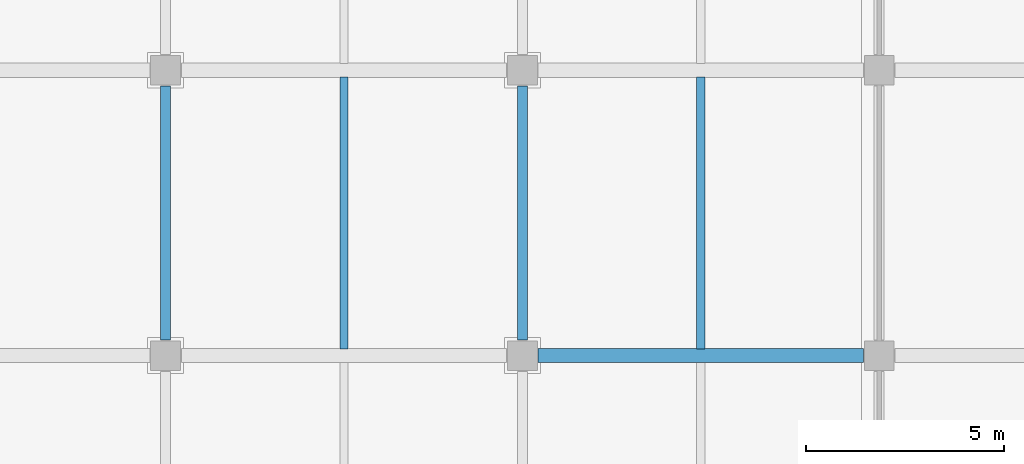
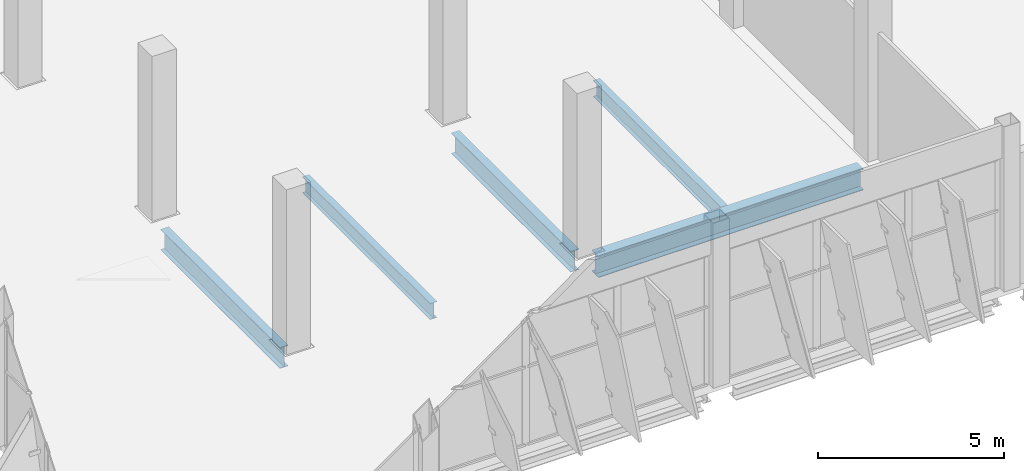
# One storey, part 66 of 137: 5 beams.
"""IFC4 building model written with IfcOpenShell, lengths in metres."""

import ifcopenshell
import ifcopenshell.guid

model = None  # the IFC model being written
_history = None  # IfcOwnerHistory: only IFC2X3 demands one
_inside = {}  # id of a spatial element -> (the spatial element, [elements in it])
_under = {}  # id of a project, library or spatial element -> (it, [spatial elements below it])
_declared = {}  # id of a project -> (the project, [libraries it declares])
_typed = {}  # id of a type object -> (the type object, [elements of that type])
_made_of = {}  # id of a material, layer set ... -> (it, [elements and type objects made of it])


def new_model(schema):
    """Start an empty IFC model of exactly this schema.

    Asked for "IFC4X3", IfcOpenShell would pick the latest addendum, in which some entities
    have other attributes; the version numbers below select the first issue.
    IFC2X3 requires an IfcOwnerHistory on every rooted entity: one is made here for all.
    """
    global model, _history
    if schema == "IFC4X3":
        model = ifcopenshell.file(schema_version=(4, 3, 0, 0))
    else:
        model = ifcopenshell.file(schema=schema)
    _inside.clear()
    _under.clear()
    _declared.clear()
    _typed.clear()
    _made_of.clear()
    _history = None
    if model.schema == "IFC2X3":
        org = make("IfcOrganization", Name="unknown")
        user = make(
            "IfcPersonAndOrganization",
            ThePerson=make("IfcPerson", FamilyName="unknown"),
            TheOrganization=org,
        )
        app = make(
            "IfcApplication",
            ApplicationDeveloper=org,
            Version="unknown",
            ApplicationFullName="unknown",
            ApplicationIdentifier="unknown",
        )
        _history = make(
            "IfcOwnerHistory",
            OwningUser=user,
            OwningApplication=app,
            ChangeAction="ADDED",
            CreationDate=0,
        )
    return model


def make(cls, **values):
    """One entity of the class cls with the attributes given. An attribute that is None is left unset."""
    return model.create_entity(
        cls, **{name: value for name, value in values.items() if value is not None}
    )


def rooted(cls, **values):
    """An entity with a GlobalId (a new one), such as an element, a storey or a relation."""
    return make(cls, GlobalId=ifcopenshell.guid.new(), OwnerHistory=_history, **values)


def si_unit(unit_type, name, prefix=None):
    """IfcSIUnit, for example si_unit("LENGTHUNIT", "METRE", prefix="MILLI")."""
    return make("IfcSIUnit", UnitType=unit_type, Prefix=prefix, Name=name)


def assignment(units):
    """IfcUnitAssignment: the units of a project."""
    return None if units is None else make("IfcUnitAssignment", Units=units)


def point(xyz):
    """IfcCartesianPoint."""
    return None if xyz is None else make("IfcCartesianPoint", Coordinates=xyz)


def direction(xyz):
    """IfcDirection."""
    return None if xyz is None else make("IfcDirection", DirectionRatios=xyz)


def frame(location, z_axis=None, x_axis=None):
    """IfcAxis2Placement3D, a coordinate frame: its origin and axes. An axis left out is left unset."""
    return make(
        "IfcAxis2Placement3D",
        Location=point(location),
        Axis=direction(z_axis),
        RefDirection=direction(x_axis),
    )


def frame_2d(location, x_axis=None):
    """IfcAxis2Placement2D, a coordinate frame in the plane: its origin and x axis."""
    return make(
        "IfcAxis2Placement2D", Location=point(location), RefDirection=direction(x_axis)
    )


def origin():
    """The frame at (0, 0, 0) with its axes left unset."""
    return frame((0.0, 0.0, 0.0))


def origin_2d():
    """The frame at (0, 0) in the plane with its x axis left unset."""
    return frame_2d((0.0, 0.0))


def place(relative_to, where):
    """IfcLocalPlacement: puts the frame where relative to a parent placement (None: the world)."""
    return make(
        "IfcLocalPlacement", PlacementRelTo=relative_to, RelativePlacement=where
    )


def context(
    kind, dimensions, precision=None, world=None, true_north=None, identifier=None
):
    """IfcGeometricRepresentationContext, for example the 3D "Model" context."""
    return make(
        "IfcGeometricRepresentationContext",
        ContextIdentifier=identifier,
        ContextType=kind,
        CoordinateSpaceDimension=dimensions,
        Precision=precision,
        WorldCoordinateSystem=world,
        TrueNorth=true_north,
    )


def subcontext(parent, identifier, kind, view, scale=None):
    """IfcGeometricRepresentationSubContext, for example "Body" below "Model"."""
    return make(
        "IfcGeometricRepresentationSubContext",
        ContextIdentifier=identifier,
        ContextType=kind,
        ParentContext=parent,
        TargetScale=scale,
        TargetView=view,
    )


def project(units=None, contexts=None):
    """IfcProject with its units and contexts."""
    return rooted(
        "IfcProject",
        Name="project",
        RepresentationContexts=contexts,
        UnitsInContext=assignment(units),
    )


def spatial(cls, under=None, at=None, **own):
    """A site, building, storey or space (cls), placed at a placement, below another one or the project."""
    s = rooted(cls, ObjectPlacement=at, **own)
    if under is not None:
        _under.setdefault(under.id(), (under, []))[1].append(s)
    return s


def profile(cls, at=None, kind="AREA", **sizes):
    """A parametric profile (cls). Its sizes go by their IFC names, for example OverallWidth=200.0."""
    return make(cls, ProfileType=kind, Position=at, **sizes)


def i_section(**sizes):
    """IfcIShapeProfileDef."""
    return profile("IfcIShapeProfileDef", **sizes)


def extrude(swept, where, along, depth):
    """IfcExtrudedAreaSolid: the profile swept, set in the frame where, extruded along a direction by depth."""
    return make(
        "IfcExtrudedAreaSolid",
        SweptArea=swept,
        Position=where,
        ExtrudedDirection=direction(along),
        Depth=depth,
    )


def shape(context_of_items, identifier, shape_type, items):
    """IfcShapeRepresentation: the items that make up one representation, for example the "Body"."""
    return make(
        "IfcShapeRepresentation",
        ContextOfItems=context_of_items,
        RepresentationIdentifier=identifier,
        RepresentationType=shape_type,
        Items=items,
    )


def material(Name=None, Category=None):
    """IfcMaterial."""
    return make("IfcMaterial", Name=Name, Category=Category)


def material_profile(
    of_material, cross_section, Name=None, Category=None, Priority=None
):
    """IfcMaterialProfile: a cross section and its material."""
    return make(
        "IfcMaterialProfile",
        Name=Name,
        Material=of_material,
        Profile=cross_section,
        Priority=Priority,
        Category=Category,
    )


def profile_set(profiles, Name=None, composite=None):
    """IfcMaterialProfileSet."""
    return make(
        "IfcMaterialProfileSet",
        Name=Name,
        MaterialProfiles=profiles,
        CompositeProfile=composite,
    )


def made_of(thing, what):
    """Note that an element or type object is made of a material, layer set ...; save() writes the relation."""
    if what is not None:
        _made_of.setdefault(what.id(), (what, []))[1].append(thing)
    return thing


def type_object(cls, material=None, **own):
    """A type object (cls), such as IfcWallType, which elements share."""
    return made_of(rooted(cls, **own), material)


def element(
    cls,
    number,
    at=None,
    inside=None,
    cuts=None,
    type_object=None,
    material=None,
    context=None,
    identifier="Body",
    shape_type=None,
    held_by="IfcProductDefinitionShape",
    body=None,
    shapes=None,
    **own,
):
    """One element of the class cls, such as IfcWall. Its Tag is "e" and its number.

    at: its placement. inside: the storey or other place that contains it. cuts: it is an
    opening in that element (IfcRelVoidsElement). A single representation is given by context,
    identifier, shape_type and body (its items); several are given by shapes. held_by: the class
    of the entity that holds the representations. save() writes the other relations.
    """
    e = rooted(cls, Tag="e%d" % number, ObjectPlacement=at, **own)
    if body is not None:
        shapes = [shape(context, identifier, shape_type, body)]
    if shapes is not None:
        e.Representation = make(held_by, Representations=shapes)
    if inside is not None:
        _inside.setdefault(inside.id(), (inside, []))[1].append(e)
    if cuts is not None:
        rooted(
            "IfcRelVoidsElement", RelatingBuildingElement=cuts, RelatedOpeningElement=e
        )
    if type_object is not None:
        _typed.setdefault(type_object.id(), (type_object, []))[1].append(e)
    return made_of(e, material)


def aggregate(whole, parts):
    """IfcRelAggregates: a whole, such as a stair, and the parts it consists of."""
    return rooted("IfcRelAggregates", RelatingObject=whole, RelatedObjects=parts)


def save(model, path):
    """Write the relations noted so far, then the file.

    IfcRelAggregates (storeys below a building ...), IfcRelContainedInSpatialStructure (elements
    in a storey), IfcRelDefinesByType, IfcRelAssociatesMaterial and IfcRelDeclares: one each for
    every whole, place, type object, material and project.
    """
    for whole, parts in _under.values():
        aggregate(whole, parts)
    for where, things in _inside.values():
        rooted(
            "IfcRelContainedInSpatialStructure",
            RelatedElements=things,
            RelatingStructure=where,
        )
    for kind, things in _typed.values():
        rooted("IfcRelDefinesByType", RelatedObjects=things, RelatingType=kind)
    for what, things in _made_of.values():
        rooted("IfcRelAssociatesMaterial", RelatedObjects=things, RelatingMaterial=what)
    for by, libraries in _declared.values():
        rooted("IfcRelDeclares", RelatingContext=by, RelatedDefinitions=libraries)
    model.write(path)


model = new_model("IFC4")

# Units and contexts
model_context = context("Model", 3, precision=1e-05, world=origin(), true_north=direction((0.0, 1.0)))
body_context = subcontext(model_context, "Body", "Model", "MODEL_VIEW")
ifc_project = project(units=[si_unit("LENGTHUNIT", "METRE"), si_unit("AREAUNIT", "SQUARE_METRE"), si_unit("VOLUMEUNIT", "CUBIC_METRE"), si_unit("PLANEANGLEUNIT", "RADIAN"), si_unit("MASSUNIT", "GRAM", prefix="KILO")], contexts=[model_context])

# Site, building, storey
site_placement = place(None, origin())
site = spatial("IfcSite", under=ifc_project, at=site_placement, CompositionType="ELEMENT")
building_placement = place(site_placement, origin())
building = spatial("IfcBuilding", under=site, at=building_placement, Name="Celestram Park Convention Centre", CompositionType="ELEMENT")
storey_placement = place(building_placement, origin())
storey = spatial("IfcBuildingStorey", under=building, at=storey_placement, Name="L00", CompositionType="ELEMENT", Elevation=0.0)

# Beams
ifc_material = material(Name="Steel ASTM A992 Grade 50", Category="steel")
ifc_material_profile_1 = material_profile(ifc_material, i_section(OverallWidth=0.35595703125, OverallDepth=0.696044921875, WebThickness=0.015380859375, FlangeThickness=0.02490234375, at=origin_2d()), Name="W27X146")
ifc_profile_set_1 = profile_set([ifc_material_profile_1], Name="Steel ASTM A992 Grade 50")
beam_type_1 = type_object("IfcBeamType", Name="STR-BM-W27X146", PredefinedType="BEAM", material=ifc_profile_set_1)
beam_placement = place(storey_placement, frame((171.39794921875, 122.39990234375, -0.66796875), z_axis=(1.0, 0.0, 0.0), x_axis=(0.0, 1.0, 0.0)))
element("IfcBeam", 1, at=beam_placement, inside=storey, type_object=beam_type_1, Name="Primary X-girder BG-L00-0756", PredefinedType="BEAM", context=body_context, shape_type="SweptSolid", body=[
    extrude(i_section(OverallWidth=0.35595703125, OverallDepth=0.696044921875, WebThickness=0.015380859375, FlangeThickness=0.02490234375, at=origin_2d()), origin(), (0.0, 0.0, 1.0), 8.2041015625),
])
ifc_material_profile_2 = material_profile(ifc_material, i_section(OverallWidth=0.25390625, OverallDepth=0.68310546875, WebThickness=0.012451171875, FlangeThickness=0.01904296875, at=origin_2d()), Name="W27X94")
ifc_profile_set_2 = profile_set([ifc_material_profile_2], Name="Steel ASTM A992 Grade 50")
beam_type_2 = type_object("IfcBeamType", Name="STR-BM-W27X94", PredefinedType="BEAM", material=ifc_profile_set_2)
for number, where, z_axis, x_axis, name in (
    (2, (162.0, 122.798095703125, -0.66162109375), (0.0, 1.0, 0.0), (-1.0, 0.0, 0.0), "Primary Y-girder BG-L00-0731"),
    (3, (171.0, 122.798095703125, -0.66162109375), (0.0, 1.0, 0.0), (-1.0, 0.0, 0.0), "Primary Y-girder BG-L00-0757"),
):
    element("IfcBeam", number, at=place(storey_placement, frame(where, z_axis=z_axis, x_axis=x_axis)), inside=storey, type_object=beam_type_2, Name=name, PredefinedType="BEAM", context=body_context, shape_type="SweptSolid", body=[
        extrude(i_section(OverallWidth=0.25390625, OverallDepth=0.68310546875, WebThickness=0.012451171875, FlangeThickness=0.01904296875, at=origin_2d()), origin(), (0.0, 0.0, 1.0), 6.40380859375),
    ])
ifc_material_profile_3 = material_profile(ifc_material, i_section(OverallWidth=0.2099609375, OverallDepth=0.532958984375, WebThickness=0.01025390625, FlangeThickness=0.015625, at=origin_2d()), Name="W21X62")
ifc_profile_set_3 = profile_set([ifc_material_profile_3], Name="Steel ASTM A992 Grade 50")
beam_type_3 = type_object("IfcBeamType", Name="STR-JST-W21X62", PredefinedType="JOIST", material=ifc_profile_set_3)
for number, where, z_axis, x_axis, name in (
    (4, (166.5, 122.573974609375, -0.58642578125), (0.0, 1.0, 0.0), (-1.0, 0.0, 0.0), "Secondary composite joist BG-L00-1190"),
    (5, (175.5, 122.573974609375, -0.58642578125), (0.0, 1.0, 0.0), (-1.0, 0.0, 0.0), "Secondary composite joist BG-L00-1202"),
):
    element("IfcBeam", number, at=place(storey_placement, frame(where, z_axis=z_axis, x_axis=x_axis)), inside=storey, type_object=beam_type_3, Name=name, PredefinedType="JOIST", context=body_context, shape_type="SweptSolid", body=[
        extrude(i_section(OverallWidth=0.2099609375, OverallDepth=0.532958984375, WebThickness=0.01025390625, FlangeThickness=0.015625, at=origin_2d()), origin(), (0.0, 0.0, 1.0), 6.85205078125),
    ])

save(model, "model.ifc")
